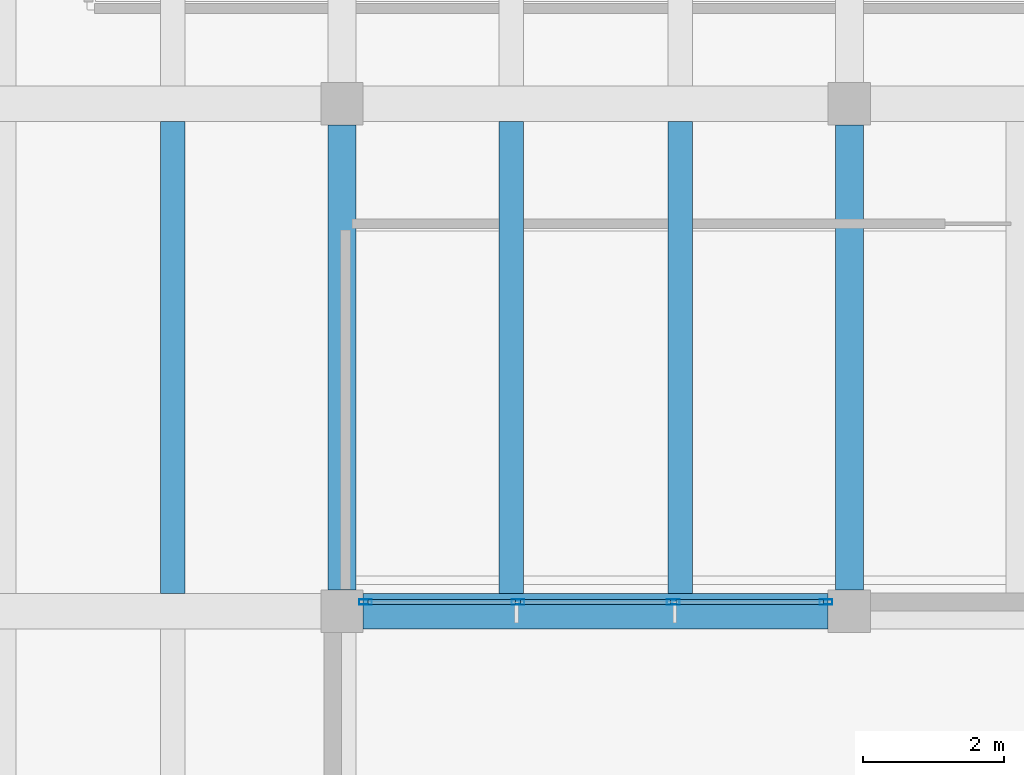
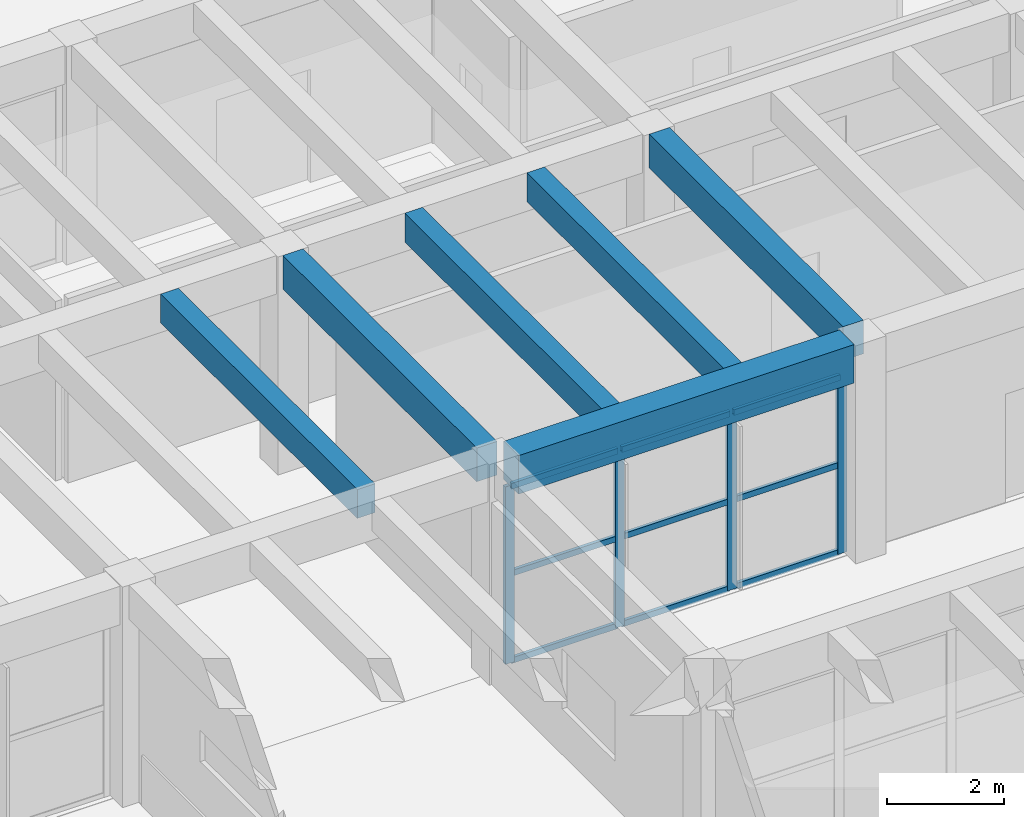
# One storey, part 70 of 155: 13 members, 6 beams, 1 element without a shape of its own.
"""IFC4 building model written with IfcOpenShell, lengths in metres."""

from ifc_helpers import new_model, si_unit, direction, frame, origin, origin_2d, place, context, subcontext, project, spatial, rectangle, hollow_rectangle, extrude, material, material_profile, profile_set, type_object, element, aggregate, save


model = new_model("IFC4")

# Units and contexts
model_context = context("Model", 3, precision=1e-05, world=origin(), true_north=direction((0.0, 1.0)))
body_context = subcontext(model_context, "Body", "Model", "MODEL_VIEW")
ifc_project = project(units=[si_unit("LENGTHUNIT", "METRE"), si_unit("AREAUNIT", "SQUARE_METRE"), si_unit("VOLUMEUNIT", "CUBIC_METRE"), si_unit("PLANEANGLEUNIT", "RADIAN"), si_unit("MASSUNIT", "GRAM", prefix="KILO")], contexts=[model_context])

# Site, building, storey
site_placement = place(None, origin())
site = spatial("IfcSite", under=ifc_project, at=site_placement, CompositionType="ELEMENT")
building_placement = place(site_placement, origin())
building = spatial("IfcBuilding", under=site, at=building_placement, Name="Bramvelor Terrace Health Centre", CompositionType="ELEMENT")
storey_placement = place(building_placement, origin())
storey = spatial("IfcBuildingStorey", under=building, at=storey_placement, Name="L01", CompositionType="ELEMENT", Elevation=0.0)

# Beams
ifc_material_1 = material(Name="Concrete C40/50", Category="concrete")
ifc_material_profile_1 = material_profile(ifc_material_1, rectangle(XDim=0.39990234375, YDim=0.699951171875, at=origin_2d()), Name="RC 400x700")
ifc_profile_set_1 = profile_set([ifc_material_profile_1], Name="Concrete C40/50")
beam_type_1 = type_object("IfcBeamType", Name="BM-RC-G700", PredefinedType="BEAM", material=ifc_profile_set_1)
for number, where, z_axis, x_axis, name in (
    (1, (50.39990234375, 86.699951171875, 4.179931640625), (0.0, 1.0, 0.0), (-1.0, 0.0, 0.0), "L01 Floor Girder"),
    (2, (57.60009765625, 86.699951171875, 4.179931640625), (0.0, 1.0, 0.0), (-1.0, 0.0, 0.0), "L01 Floor Girder"),
):
    element("IfcBeam", number, at=place(storey_placement, frame(where, z_axis=z_axis, x_axis=x_axis)), inside=storey, type_object=beam_type_1, Name=name, PredefinedType="BEAM", context=body_context, shape_type="SweptSolid", body=[
        extrude(rectangle(XDim=0.39990234375, YDim=0.699951171875, at=origin_2d()), origin(), (0.0, 0.0, 1.0), 6.60009765625),
    ])
ifc_material_2 = material(Name="Concrete C40/50", Category="concrete")
ifc_material_profile_2 = material_profile(ifc_material_2, rectangle(XDim=0.5, YDim=0.800048828125, at=origin_2d()), Name="RC 500x800")
ifc_profile_set_2 = profile_set([ifc_material_profile_2], Name="Concrete C40/50")
beam_type_2 = type_object("IfcBeamType", Name="BM-RC-G800", PredefinedType="BEAM", material=ifc_profile_set_2)
beam_placement = place(storey_placement, frame((50.699951171875, 86.39990234375, 4.1298828125), z_axis=(1.0, 0.0, 0.0), x_axis=(0.0, 1.0, 0.0)))
element("IfcBeam", 3, at=beam_placement, inside=storey, type_object=beam_type_2, Name="L01 Floor Girder", PredefinedType="BEAM", context=body_context, shape_type="SweptSolid", body=[
    extrude(rectangle(XDim=0.5, YDim=0.800048828125, at=origin_2d()), origin(), (0.0, 0.0, 1.0), 6.60009765625),
])
ifc_material_3 = material(Name="Concrete C40/50", Category="concrete")
ifc_material_profile_3 = material_profile(ifc_material_3, rectangle(XDim=0.35009765625, YDim=0.60009765625, at=origin_2d()), Name="RC 350x600")
ifc_profile_set_3 = profile_set([ifc_material_profile_3], Name="Concrete C40/50")
beam_type_3 = type_object("IfcBeamType", Name="BM-RC-J600", PredefinedType="JOIST", material=ifc_profile_set_3)
for number, where, z_axis, x_axis, name in (
    (4, (48.0, 86.64990234375, 4.22998046875), (0.0, 1.0, 0.0), (-1.0, 0.0, 0.0), "L01 Secondary Floor Joist"),
    (5, (52.800048828125, 86.64990234375, 4.22998046875), (0.0, 1.0, 0.0), (-1.0, 0.0, 0.0), "L01 Secondary Floor Joist"),
    (6, (55.199951171875, 86.64990234375, 4.22998046875), (0.0, 1.0, 0.0), (-1.0, 0.0, 0.0), "L01 Secondary Floor Joist"),
):
    element("IfcBeam", number, at=place(storey_placement, frame(where, z_axis=z_axis, x_axis=x_axis)), inside=storey, type_object=beam_type_3, Name=name, PredefinedType="JOIST", context=body_context, shape_type="SweptSolid", body=[
        extrude(rectangle(XDim=0.35009765625, YDim=0.60009765625, at=origin_2d()), origin(), (0.0, 0.0, 1.0), 6.7001953125),
    ])

# Curtain wall, members
ifc_material_4 = material(Name="Anodized aluminium and double low-E glass", Category="aluminium")
curtain_wall_type = type_object("IfcCurtainWallType", Name="CW-SYS-02", PredefinedType="NOTDEFINED", material=ifc_material_4)
curtain_wall_placement = place(storey_placement, origin())
curtain_wall = element("IfcCurtainWall", 7, at=curtain_wall_placement, inside=storey, type_object=curtain_wall_type, Name="L01 Unitized Curtain Wall 28", PredefinedType="NOTDEFINED")
ifc_material_5 = material(Name="Anodized aluminium 6063-T6", Category="aluminium")
ifc_material_profile_4 = material_profile(ifc_material_5, hollow_rectangle(XDim=0.074951171875, YDim=0.179931640625, WallThickness=0.00341796875, at=origin_2d()), Name="ALU-MUL 75x180x3.5")
ifc_profile_set_4 = profile_set([ifc_material_profile_4], Name="Anodized aluminium 6063-T6")
member_type_1 = type_object("IfcMemberType", Name="CW-MUL-65x180", PredefinedType="MULLION", material=ifc_profile_set_4)
member_1_placement = place(storey_placement, frame((57.267578125, 86.530029296875, 0.0), z_axis=(0.0, 0.0, 1.0), x_axis=(0.0, -1.0, 0.0)))
member_1 = element("IfcMember", 8, at=member_1_placement, type_object=member_type_1, Name="CW-02 mullion 1", PredefinedType="MULLION", context=body_context, shape_type="SweptSolid", body=[
    extrude(hollow_rectangle(XDim=0.074951171875, YDim=0.179931640625, WallThickness=0.00341796875, at=origin_2d()), origin(), (0.0, 0.0, 1.0), 3.68994140625),
])
member_2_placement = place(storey_placement, frame((55.1015625, 86.530029296875, 0.0), z_axis=(0.0, 0.0, 1.0), x_axis=(0.0, -1.0, 0.0)))
member_2 = element("IfcMember", 9, at=member_2_placement, type_object=member_type_1, Name="CW-02 mullion 2", PredefinedType="MULLION", context=body_context, shape_type="SweptSolid", body=[
    extrude(hollow_rectangle(XDim=0.074951171875, YDim=0.179931640625, WallThickness=0.00341796875, at=origin_2d()), origin(), (0.0, 0.0, 1.0), 3.68994140625),
])
member_3_placement = place(storey_placement, frame((52.8984375, 86.530029296875, 0.0), z_axis=(0.0, 0.0, 1.0), x_axis=(0.0, -1.0, 0.0)))
member_3 = element("IfcMember", 10, at=member_3_placement, type_object=member_type_1, Name="CW-02 mullion 3", PredefinedType="MULLION", context=body_context, shape_type="SweptSolid", body=[
    extrude(hollow_rectangle(XDim=0.074951171875, YDim=0.179931640625, WallThickness=0.00341796875, at=origin_2d()), origin(), (0.0, 0.0, 1.0), 3.68994140625),
])
member_4_placement = place(storey_placement, frame((50.732421875, 86.530029296875, 0.0), z_axis=(0.0, 0.0, 1.0), x_axis=(0.0, -1.0, 0.0)))
member_4 = element("IfcMember", 11, at=member_4_placement, type_object=member_type_1, Name="CW-02 mullion 4", PredefinedType="MULLION", context=body_context, shape_type="SweptSolid", body=[
    extrude(hollow_rectangle(XDim=0.074951171875, YDim=0.179931640625, WallThickness=0.00341796875, at=origin_2d()), origin(), (0.0, 0.0, 1.0), 3.68994140625),
])
ifc_material_6 = material(Name="Anodized aluminium 6063-T6", Category="aluminium")
ifc_material_profile_5 = material_profile(ifc_material_6, hollow_rectangle(XDim=0.06494140625, YDim=0.1201171875, WallThickness=0.0029296875, at=origin_2d()), Name="ALU-TRN 65x120x3.0")
ifc_profile_set_5 = profile_set([ifc_material_profile_5], Name="Anodized aluminium 6063-T6")
member_type_2 = type_object("IfcMemberType", Name="CW-TRN-65x150", PredefinedType="USERDEFINED", material=ifc_profile_set_5)
member_5_placement = place(storey_placement, frame((57.22998046875, 86.530029296875, 0.032470703125), z_axis=(-1.0, 0.0, 0.0), x_axis=(0.0, -1.0, 0.0)))
member_5 = element("IfcMember", 12, at=member_5_placement, type_object=member_type_2, Name="CW-02 transom 1.1", ObjectType="TRANSOM", PredefinedType="USERDEFINED", context=body_context, shape_type="SweptSolid", body=[
    extrude(hollow_rectangle(XDim=0.06494140625, YDim=0.1201171875, WallThickness=0.0029296875, at=origin_2d()), origin(), (0.0, 0.0, 1.0), 2.0908203125),
])
member_6_placement = place(storey_placement, frame((57.22998046875, 86.530029296875, 1.844970703125), z_axis=(-1.0, 0.0, 0.0), x_axis=(0.0, -1.0, 0.0)))
member_6 = element("IfcMember", 13, at=member_6_placement, type_object=member_type_2, Name="CW-02 transom 1.2", ObjectType="TRANSOM", PredefinedType="USERDEFINED", context=body_context, shape_type="SweptSolid", body=[
    extrude(hollow_rectangle(XDim=0.06494140625, YDim=0.1201171875, WallThickness=0.0029296875, at=origin_2d()), origin(), (0.0, 0.0, 1.0), 2.0908203125),
])
member_7_placement = place(storey_placement, frame((57.22998046875, 86.530029296875, 3.657470703125), z_axis=(-1.0, 0.0, 0.0), x_axis=(0.0, -1.0, 0.0)))
member_7 = element("IfcMember", 14, at=member_7_placement, type_object=member_type_2, Name="CW-02 transom 1.3", ObjectType="TRANSOM", PredefinedType="USERDEFINED", context=body_context, shape_type="SweptSolid", body=[
    extrude(hollow_rectangle(XDim=0.06494140625, YDim=0.1201171875, WallThickness=0.0029296875, at=origin_2d()), origin(), (0.0, 0.0, 1.0), 2.0908203125),
])
member_8_placement = place(storey_placement, frame((55.064208984375, 86.530029296875, 0.032470703125), z_axis=(-1.0, 0.0, 0.0), x_axis=(0.0, -1.0, 0.0)))
member_8 = element("IfcMember", 15, at=member_8_placement, type_object=member_type_2, Name="CW-02 transom 2.1", ObjectType="TRANSOM", PredefinedType="USERDEFINED", context=body_context, shape_type="SweptSolid", body=[
    extrude(hollow_rectangle(XDim=0.06494140625, YDim=0.1201171875, WallThickness=0.0029296875, at=origin_2d()), origin(), (0.0, 0.0, 1.0), 2.12841796875),
])
member_9_placement = place(storey_placement, frame((55.064208984375, 86.530029296875, 1.844970703125), z_axis=(-1.0, 0.0, 0.0), x_axis=(0.0, -1.0, 0.0)))
member_9 = element("IfcMember", 16, at=member_9_placement, type_object=member_type_2, Name="CW-02 transom 2.2", ObjectType="TRANSOM", PredefinedType="USERDEFINED", context=body_context, shape_type="SweptSolid", body=[
    extrude(hollow_rectangle(XDim=0.06494140625, YDim=0.1201171875, WallThickness=0.0029296875, at=origin_2d()), origin(), (0.0, 0.0, 1.0), 2.12841796875),
])
member_10_placement = place(storey_placement, frame((55.064208984375, 86.530029296875, 3.657470703125), z_axis=(-1.0, 0.0, 0.0), x_axis=(0.0, -1.0, 0.0)))
member_10 = element("IfcMember", 17, at=member_10_placement, type_object=member_type_2, Name="CW-02 transom 2.3", ObjectType="TRANSOM", PredefinedType="USERDEFINED", context=body_context, shape_type="SweptSolid", body=[
    extrude(hollow_rectangle(XDim=0.06494140625, YDim=0.1201171875, WallThickness=0.0029296875, at=origin_2d()), origin(), (0.0, 0.0, 1.0), 2.12841796875),
])
member_11_placement = place(storey_placement, frame((52.86083984375, 86.530029296875, 0.032470703125), z_axis=(-1.0, 0.0, 0.0), x_axis=(0.0, -1.0, 0.0)))
member_11 = element("IfcMember", 18, at=member_11_placement, type_object=member_type_2, Name="CW-02 transom 3.1", ObjectType="TRANSOM", PredefinedType="USERDEFINED", context=body_context, shape_type="SweptSolid", body=[
    extrude(hollow_rectangle(XDim=0.06494140625, YDim=0.1201171875, WallThickness=0.0029296875, at=origin_2d()), origin(), (0.0, 0.0, 1.0), 2.0908203125),
])
member_12_placement = place(storey_placement, frame((52.86083984375, 86.530029296875, 1.844970703125), z_axis=(-1.0, 0.0, 0.0), x_axis=(0.0, -1.0, 0.0)))
member_12 = element("IfcMember", 19, at=member_12_placement, type_object=member_type_2, Name="CW-02 transom 3.2", ObjectType="TRANSOM", PredefinedType="USERDEFINED", context=body_context, shape_type="SweptSolid", body=[
    extrude(hollow_rectangle(XDim=0.06494140625, YDim=0.1201171875, WallThickness=0.0029296875, at=origin_2d()), origin(), (0.0, 0.0, 1.0), 2.0908203125),
])
member_13_placement = place(storey_placement, frame((52.86083984375, 86.530029296875, 3.657470703125), z_axis=(-1.0, 0.0, 0.0), x_axis=(0.0, -1.0, 0.0)))
member_13 = element("IfcMember", 20, at=member_13_placement, type_object=member_type_2, Name="CW-02 transom 3.3", ObjectType="TRANSOM", PredefinedType="USERDEFINED", context=body_context, shape_type="SweptSolid", body=[
    extrude(hollow_rectangle(XDim=0.06494140625, YDim=0.1201171875, WallThickness=0.0029296875, at=origin_2d()), origin(), (0.0, 0.0, 1.0), 2.0908203125),
])
aggregate(curtain_wall, [member_1, member_2, member_3, member_4, member_5, member_6, member_7, member_8, member_9, member_10, member_11, member_12, member_13])

save(model, "model.ifc")
